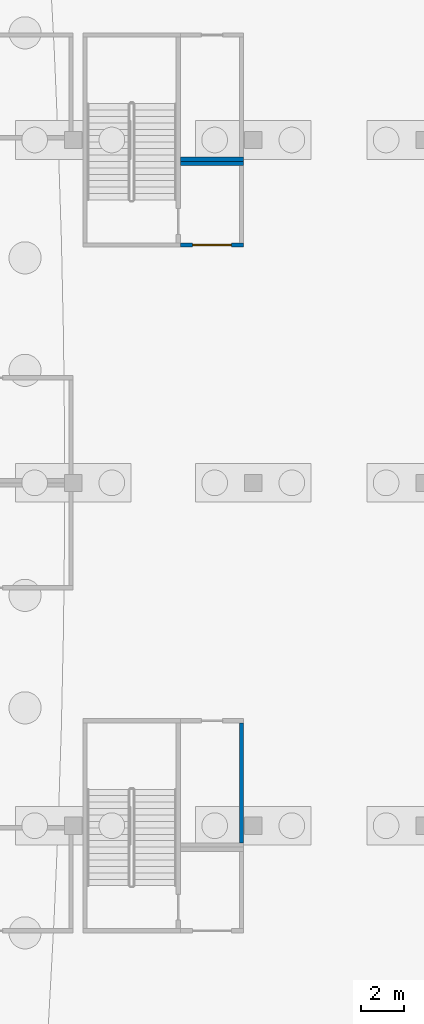
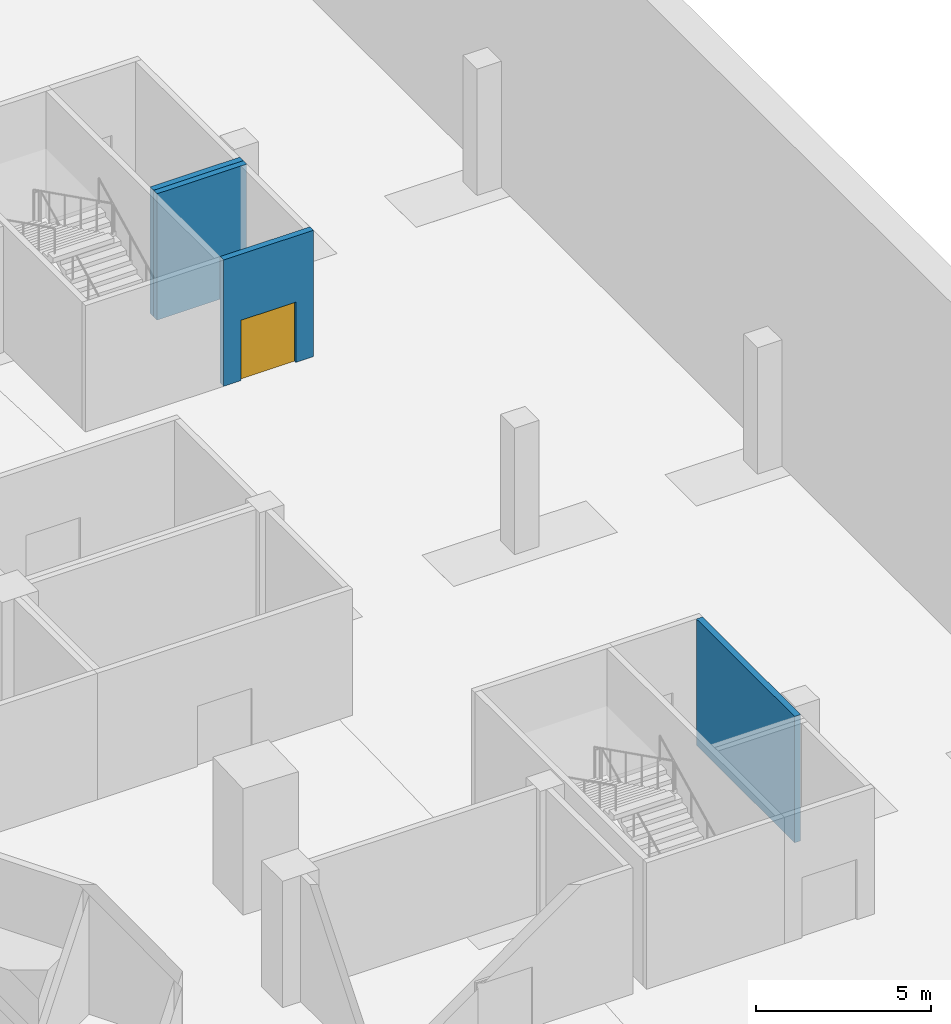
# One storey, part 18 of 46: 4 walls, 1 door, 1 opening.
"""IFC4 building model written with IfcOpenShell, lengths in metres."""

import ifcopenshell
import ifcopenshell.guid

model = None  # the IFC model being written
_history = None  # IfcOwnerHistory: only IFC2X3 demands one
_inside = {}  # id of a spatial element -> (the spatial element, [elements in it])
_under = {}  # id of a project, library or spatial element -> (it, [spatial elements below it])
_declared = {}  # id of a project -> (the project, [libraries it declares])
_typed = {}  # id of a type object -> (the type object, [elements of that type])
_made_of = {}  # id of a material, layer set ... -> (it, [elements and type objects made of it])


def new_model(schema):
    """Start an empty IFC model of exactly this schema.

    Asked for "IFC4X3", IfcOpenShell would pick the latest addendum, in which some entities
    have other attributes; the version numbers below select the first issue.
    IFC2X3 requires an IfcOwnerHistory on every rooted entity: one is made here for all.
    """
    global model, _history
    if schema == "IFC4X3":
        model = ifcopenshell.file(schema_version=(4, 3, 0, 0))
    else:
        model = ifcopenshell.file(schema=schema)
    _inside.clear()
    _under.clear()
    _declared.clear()
    _typed.clear()
    _made_of.clear()
    _history = None
    if model.schema == "IFC2X3":
        org = make("IfcOrganization", Name="unknown")
        user = make(
            "IfcPersonAndOrganization",
            ThePerson=make("IfcPerson", FamilyName="unknown"),
            TheOrganization=org,
        )
        app = make(
            "IfcApplication",
            ApplicationDeveloper=org,
            Version="unknown",
            ApplicationFullName="unknown",
            ApplicationIdentifier="unknown",
        )
        _history = make(
            "IfcOwnerHistory",
            OwningUser=user,
            OwningApplication=app,
            ChangeAction="ADDED",
            CreationDate=0,
        )
    return model


def make(cls, **values):
    """One entity of the class cls with the attributes given. An attribute that is None is left unset."""
    return model.create_entity(
        cls, **{name: value for name, value in values.items() if value is not None}
    )


def rooted(cls, **values):
    """An entity with a GlobalId (a new one), such as an element, a storey or a relation."""
    return make(cls, GlobalId=ifcopenshell.guid.new(), OwnerHistory=_history, **values)


def si_unit(unit_type, name, prefix=None):
    """IfcSIUnit, for example si_unit("LENGTHUNIT", "METRE", prefix="MILLI")."""
    return make("IfcSIUnit", UnitType=unit_type, Prefix=prefix, Name=name)


def assignment(units):
    """IfcUnitAssignment: the units of a project."""
    return None if units is None else make("IfcUnitAssignment", Units=units)


def point(xyz):
    """IfcCartesianPoint."""
    return None if xyz is None else make("IfcCartesianPoint", Coordinates=xyz)


def direction(xyz):
    """IfcDirection."""
    return None if xyz is None else make("IfcDirection", DirectionRatios=xyz)


def frame(location, z_axis=None, x_axis=None):
    """IfcAxis2Placement3D, a coordinate frame: its origin and axes. An axis left out is left unset."""
    return make(
        "IfcAxis2Placement3D",
        Location=point(location),
        Axis=direction(z_axis),
        RefDirection=direction(x_axis),
    )


def frame_2d(location, x_axis=None):
    """IfcAxis2Placement2D, a coordinate frame in the plane: its origin and x axis."""
    return make(
        "IfcAxis2Placement2D", Location=point(location), RefDirection=direction(x_axis)
    )


def origin():
    """The frame at (0, 0, 0) with its axes left unset."""
    return frame((0.0, 0.0, 0.0))


def place(relative_to, where):
    """IfcLocalPlacement: puts the frame where relative to a parent placement (None: the world)."""
    return make(
        "IfcLocalPlacement", PlacementRelTo=relative_to, RelativePlacement=where
    )


def context(
    kind, dimensions, precision=None, world=None, true_north=None, identifier=None
):
    """IfcGeometricRepresentationContext, for example the 3D "Model" context."""
    return make(
        "IfcGeometricRepresentationContext",
        ContextIdentifier=identifier,
        ContextType=kind,
        CoordinateSpaceDimension=dimensions,
        Precision=precision,
        WorldCoordinateSystem=world,
        TrueNorth=true_north,
    )


def subcontext(parent, identifier, kind, view, scale=None):
    """IfcGeometricRepresentationSubContext, for example "Body" below "Model"."""
    return make(
        "IfcGeometricRepresentationSubContext",
        ContextIdentifier=identifier,
        ContextType=kind,
        ParentContext=parent,
        TargetScale=scale,
        TargetView=view,
    )


def project(units=None, contexts=None):
    """IfcProject with its units and contexts."""
    return rooted(
        "IfcProject",
        Name="project",
        RepresentationContexts=contexts,
        UnitsInContext=assignment(units),
    )


def spatial(cls, under=None, at=None, **own):
    """A site, building, storey or space (cls), placed at a placement, below another one or the project."""
    s = rooted(cls, ObjectPlacement=at, **own)
    if under is not None:
        _under.setdefault(under.id(), (under, []))[1].append(s)
    return s


def profile(cls, at=None, kind="AREA", **sizes):
    """A parametric profile (cls). Its sizes go by their IFC names, for example OverallWidth=200.0."""
    return make(cls, ProfileType=kind, Position=at, **sizes)


def rectangle(**sizes):
    """IfcRectangleProfileDef."""
    return profile("IfcRectangleProfileDef", **sizes)


def extrude(swept, where, along, depth):
    """IfcExtrudedAreaSolid: the profile swept, set in the frame where, extruded along a direction by depth."""
    return make(
        "IfcExtrudedAreaSolid",
        SweptArea=swept,
        Position=where,
        ExtrudedDirection=direction(along),
        Depth=depth,
    )


def shape(context_of_items, identifier, shape_type, items):
    """IfcShapeRepresentation: the items that make up one representation, for example the "Body"."""
    return make(
        "IfcShapeRepresentation",
        ContextOfItems=context_of_items,
        RepresentationIdentifier=identifier,
        RepresentationType=shape_type,
        Items=items,
    )


def material(Name=None, Category=None):
    """IfcMaterial."""
    return make("IfcMaterial", Name=Name, Category=Category)


def layer(
    of_material, thickness, ventilated=None, Name=None, Category=None, Priority=None
):
    """IfcMaterialLayer: one layer of a wall or slab, of a material (None: an air gap)."""
    return make(
        "IfcMaterialLayer",
        Material=of_material,
        LayerThickness=thickness,
        IsVentilated=ventilated,
        Name=Name,
        Category=Category,
        Priority=Priority,
    )


def layer_set(layers, Name=None):
    """IfcMaterialLayerSet."""
    return make("IfcMaterialLayerSet", MaterialLayers=layers, LayerSetName=Name)


def made_of(thing, what):
    """Note that an element or type object is made of a material, layer set ...; save() writes the relation."""
    if what is not None:
        _made_of.setdefault(what.id(), (what, []))[1].append(thing)
    return thing


def type_object(cls, material=None, **own):
    """A type object (cls), such as IfcWallType, which elements share."""
    return made_of(rooted(cls, **own), material)


def element(
    cls,
    number,
    at=None,
    inside=None,
    cuts=None,
    type_object=None,
    material=None,
    context=None,
    identifier="Body",
    shape_type=None,
    held_by="IfcProductDefinitionShape",
    body=None,
    shapes=None,
    **own,
):
    """One element of the class cls, such as IfcWall. Its Tag is "e" and its number.

    at: its placement. inside: the storey or other place that contains it. cuts: it is an
    opening in that element (IfcRelVoidsElement). A single representation is given by context,
    identifier, shape_type and body (its items); several are given by shapes. held_by: the class
    of the entity that holds the representations. save() writes the other relations.
    """
    e = rooted(cls, Tag="e%d" % number, ObjectPlacement=at, **own)
    if body is not None:
        shapes = [shape(context, identifier, shape_type, body)]
    if shapes is not None:
        e.Representation = make(held_by, Representations=shapes)
    if inside is not None:
        _inside.setdefault(inside.id(), (inside, []))[1].append(e)
    if cuts is not None:
        rooted(
            "IfcRelVoidsElement", RelatingBuildingElement=cuts, RelatedOpeningElement=e
        )
    if type_object is not None:
        _typed.setdefault(type_object.id(), (type_object, []))[1].append(e)
    return made_of(e, material)


def fill(opening, filler):
    """IfcRelFillsElement: the door or window that sits in an opening."""
    return rooted(
        "IfcRelFillsElement",
        RelatingOpeningElement=opening,
        RelatedBuildingElement=filler,
    )


def aggregate(whole, parts):
    """IfcRelAggregates: a whole, such as a stair, and the parts it consists of."""
    return rooted("IfcRelAggregates", RelatingObject=whole, RelatedObjects=parts)


def save(model, path):
    """Write the relations noted so far, then the file.

    IfcRelAggregates (storeys below a building ...), IfcRelContainedInSpatialStructure (elements
    in a storey), IfcRelDefinesByType, IfcRelAssociatesMaterial and IfcRelDeclares: one each for
    every whole, place, type object, material and project.
    """
    for whole, parts in _under.values():
        aggregate(whole, parts)
    for where, things in _inside.values():
        rooted(
            "IfcRelContainedInSpatialStructure",
            RelatedElements=things,
            RelatingStructure=where,
        )
    for kind, things in _typed.values():
        rooted("IfcRelDefinesByType", RelatedObjects=things, RelatingType=kind)
    for what, things in _made_of.values():
        rooted("IfcRelAssociatesMaterial", RelatedObjects=things, RelatingMaterial=what)
    for by, libraries in _declared.values():
        rooted("IfcRelDeclares", RelatingContext=by, RelatedDefinitions=libraries)
    model.write(path)


model = new_model("IFC4")

# Units and contexts
model_context = context("Model", 3, precision=1e-05, world=origin(), true_north=direction((0.0, 1.0)))
body_context = subcontext(model_context, "Body", "Model", "MODEL_VIEW")
ifc_project = project(units=[si_unit("LENGTHUNIT", "METRE"), si_unit("AREAUNIT", "SQUARE_METRE"), si_unit("VOLUMEUNIT", "CUBIC_METRE"), si_unit("PLANEANGLEUNIT", "RADIAN"), si_unit("MASSUNIT", "GRAM", prefix="KILO")], contexts=[model_context])

# Site, building, storey
site_placement = place(None, origin())
site = spatial("IfcSite", under=ifc_project, at=site_placement, CompositionType="ELEMENT")
building_placement = place(site_placement, origin())
building = spatial("IfcBuilding", under=site, at=building_placement, Name="Tamra Quay Hotel Tower", CompositionType="ELEMENT")
storey_placement = place(building_placement, frame((0.0, 0.0, -12.0)))
storey = spatial("IfcBuildingStorey", under=building, at=storey_placement, Name="B3", CompositionType="ELEMENT", Elevation=-12.0)

# Wall
ifc_material_1 = material(Name="Blockwork", Category="masonry")
ifc_layer = layer(ifc_material_1, 0.199951171875)
ifc_layer_set = layer_set([ifc_layer], Name="Car park room wall 200")
wall_type = type_object("IfcWallType", Name="Car park room wall 200", PredefinedType="PARTITIONING", material=ifc_layer_set)
wall_1_placement = place(storey_placement, frame((36.35009765625, -16.800048828125, 0.0), z_axis=(0.0, 0.0, 1.0), x_axis=(0.0, 1.0, 0.0)))
element("IfcWall", 1, at=wall_1_placement, inside=storey, type_object=wall_type, Name="PW", PredefinedType="PARTITIONING", context=body_context, shape_type="SweptSolid", body=[
    extrude(rectangle(XDim=5.60009765625, YDim=0.199951171875, at=frame_2d((2.800048828125, 0.0))), origin(), (0.0, 0.0, 1.0), 4.39990234375),
])

# Wall, opening, door
wall_2_placement = place(storey_placement, frame((33.5, 11.10009765625, 0.0), z_axis=(0.0, 0.0, 1.0), x_axis=(1.0, 0.0, 0.0)))
wall_2 = element("IfcWall", 2, at=wall_2_placement, inside=storey, type_object=wall_type, Name="PW", PredefinedType="PARTITIONING", context=body_context, shape_type="SweptSolid", body=[
    extrude(rectangle(XDim=2.949951171875, YDim=0.199951171875, at=frame_2d((1.47509765625, 0.0))), origin(), (0.0, 0.0, 1.0), 4.39990234375),
])
opening_placement = place(wall_2_placement, frame((0.574951171875, 0.0, 0.0)))
opening = element("IfcOpeningElement", 3, at=opening_placement, cuts=wall_2, Name="Opening PD2", PredefinedType="OPENING", context=body_context, shape_type="SweptSolid", body=[
    extrude(rectangle(XDim=1.800048828125, YDim=2.10009765625, at=frame_2d((0.89990234375, 1.050048828125))), frame((0.0, 0.10986328125, 0.0), z_axis=(0.0, -1.0, 0.0), x_axis=(1.0, 0.0, 0.0)), (0.0, 0.0, 1.0), 0.219970703125),
])
ifc_material_2 = material(Name="Plant door 1800 x 2100")
door_type = type_object("IfcDoorType", Name="Plant door 1800 x 2100", OperationType="DOUBLE_DOOR_SINGLE_SWING", PredefinedType="DOOR", material=ifc_material_2)
door_placement = place(opening_placement, origin())
door = element("IfcDoor", 4, at=door_placement, inside=storey, type_object=door_type, Name="PD2", OperationType="DOUBLE_DOOR_SINGLE_SWING", OverallHeight=2.10009765625, OverallWidth=1.800048828125, PredefinedType="DOOR", context=body_context, shape_type="SweptSolid", body=[
    extrude(rectangle(XDim=1.800048828125, YDim=2.10009765625, at=frame_2d((0.89990234375, 1.050048828125))), frame((0.0, 0.02490234375, 0.0), z_axis=(0.0, -1.0, 0.0), x_axis=(1.0, 0.0, 0.0)), (0.0, 0.0, 1.0), 0.050048828125),
])
fill(opening, door)

# Walls
for number, where, z_axis, x_axis, name in (
    (5, (33.5, 14.89990234375, 0.0), (0.0, 0.0, 1.0), (1.0, 0.0, 0.0), "PW"),
    (6, (33.5, 15.10009765625, 0.0), (0.0, 0.0, 1.0), (1.0, 0.0, 0.0), "PW"),
):
    element("IfcWall", number, at=place(storey_placement, frame(where, z_axis=z_axis, x_axis=x_axis)), inside=storey, type_object=wall_type, Name=name, PredefinedType="PARTITIONING", context=body_context, shape_type="SweptSolid", body=[
        extrude(rectangle(XDim=2.949951171875, YDim=0.199951171875, at=frame_2d((1.47509765625, 0.0))), origin(), (0.0, 0.0, 1.0), 4.39990234375),
    ])

save(model, "model.ifc")
